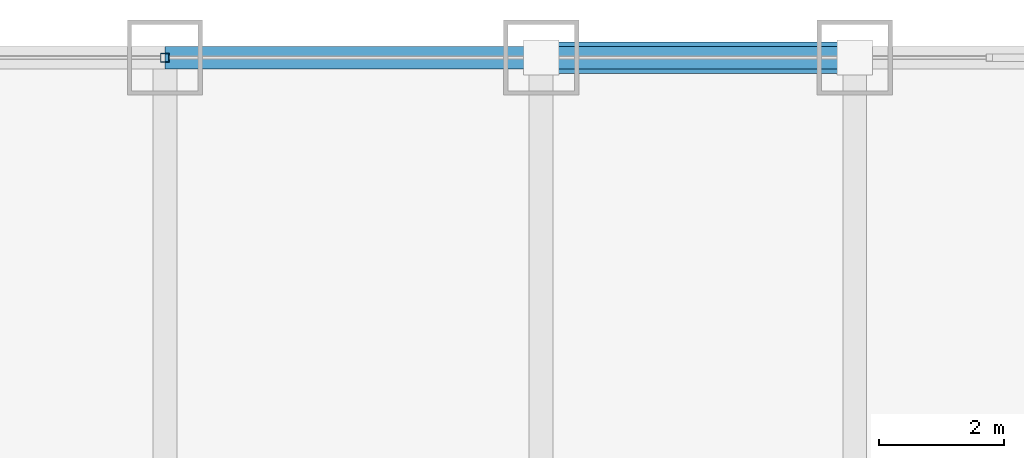
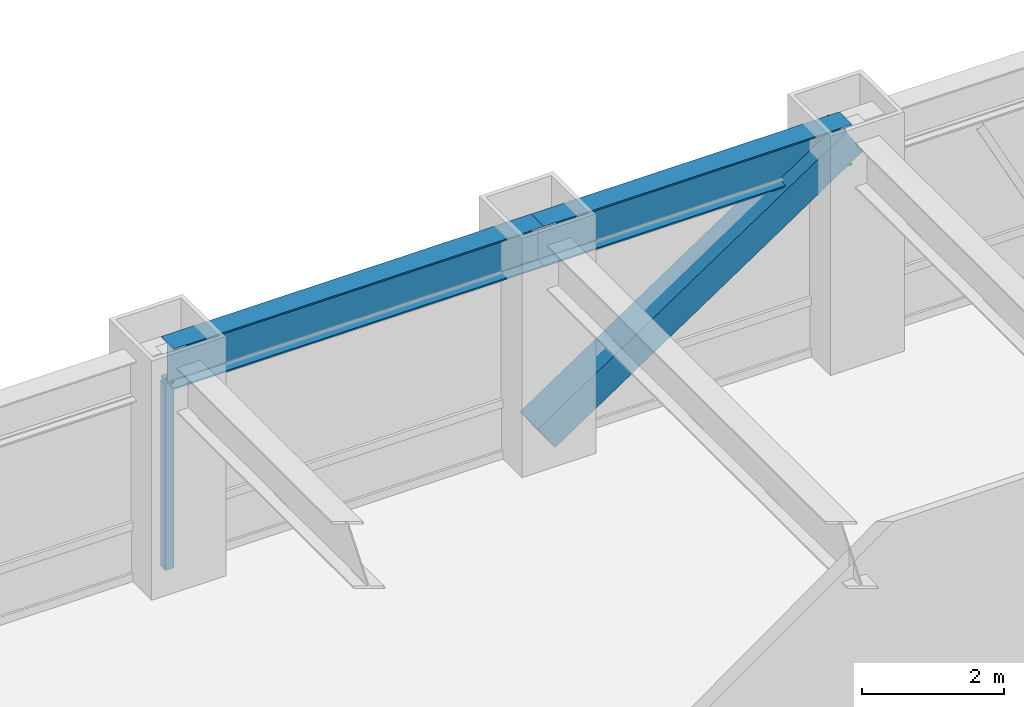
# One storey, part 19 of 27: 2 beams, 2 members, 1 element without a shape of its own.
"""IFC4 building model written with IfcOpenShell, lengths in metres."""

from ifc_helpers import new_model, si_unit, direction, frame, origin, origin_2d, place, context, subcontext, project, spatial, hollow_rectangle, i_section, extrude, source, transform, mapped, material, material_profile, profile_set, type_object, element, aggregate, save


model = new_model("IFC4")

# Units and contexts
model_context = context("Model", 3, precision=1e-05, world=origin(), true_north=direction((0.0, 1.0)))
body_context = subcontext(model_context, "Body", "Model", "MODEL_VIEW")
ifc_project = project(units=[si_unit("LENGTHUNIT", "METRE"), si_unit("AREAUNIT", "SQUARE_METRE"), si_unit("VOLUMEUNIT", "CUBIC_METRE"), si_unit("PLANEANGLEUNIT", "RADIAN"), si_unit("MASSUNIT", "GRAM", prefix="KILO")], contexts=[model_context])

# Site, building, storey
site_placement = place(None, origin())
site = spatial("IfcSite", under=ifc_project, at=site_placement, CompositionType="ELEMENT")
building_placement = place(site_placement, origin())
building = spatial("IfcBuilding", under=site, at=building_placement, Name="Khorayat Bourse Tower", CompositionType="ELEMENT")
storey_placement = place(building_placement, frame((0.0, 0.0, 103.699951171875)))
storey = spatial("IfcBuildingStorey", under=building, at=storey_placement, Name="L23", CompositionType="ELEMENT", Elevation=103.699951171875)

# Beams
ifc_material_1 = material(Name="Steel ASTM A992 Grade 50", Category="steel")
ifc_material_profile_1 = material_profile(ifc_material_1, i_section(OverallWidth=0.35498046875, OverallDepth=0.695068359375, WebThickness=0.015380859375, FlangeThickness=0.02490234375, FilletRadius=0.01806640625, at=origin_2d()), Name="W690X217")
ifc_profile_set_1 = profile_set([ifc_material_profile_1], Name="Steel ASTM A992 Grade 50")
beam_type = type_object("IfcBeamType", Name="BM-SPAN-690", PredefinedType="SPANDREL", material=ifc_profile_set_1)
shared_shape_1 = source(origin(), body_context, "Body", "SweptSolid", [
    extrude(i_section(OverallWidth=0.35498046875, OverallDepth=0.695068359375, WebThickness=0.015380859375, FlangeThickness=0.02490234375, FilletRadius=0.01806640625, at=origin_2d()), origin(), (0.0, 0.0, 1.0), 5.0),
])
beam_1_placement = place(storey_placement, frame((6.0, 32.0, 3.492431640625), z_axis=(1.0, 0.0, 0.0), x_axis=(0.0, 1.0, 0.0)))
element("IfcBeam", 1, at=beam_1_placement, inside=storey, type_object=beam_type, Name="L23 BM-SPAN-690 BM-L23-SPN-046", PredefinedType="SPANDREL", context=body_context, shape_type="MappedRepresentation", body=[
    mapped(shared_shape_1, transform((0.0, 0.0, 0.0), scale=1.0)),
])
shared_shape_2 = source(origin(), body_context, "Body", "SweptSolid", [
    extrude(i_section(OverallWidth=0.35498046875, OverallDepth=0.695068359375, WebThickness=0.015380859375, FlangeThickness=0.02490234375, FilletRadius=0.01806640625, at=origin_2d()), origin(), (0.0, 0.0, 1.0), 6.0),
])
beam_2_placement = place(storey_placement, frame((0.0, 32.0, 3.492431640625), z_axis=(1.0, 0.0, 0.0), x_axis=(0.0, 1.0, 0.0)))
element("IfcBeam", 2, at=beam_2_placement, inside=storey, type_object=beam_type, Name="L23 BM-SPAN-690 BM-L23-SPN-047", PredefinedType="SPANDREL", context=body_context, shape_type="MappedRepresentation", body=[
    mapped(shared_shape_2, transform((0.0, 0.0, 0.0), scale=1.0)),
])

# Member
ifc_material_2 = material(Name="Steel EN 10025-4 S460M", Category="steel")
ifc_material_profile_2 = material_profile(ifc_material_2, hollow_rectangle(XDim=0.5, YDim=0.5, WallThickness=0.028076171875, at=origin_2d()), Name="HSS 500x500x28")
ifc_profile_set_2 = profile_set([ifc_material_profile_2], Name="Steel EN 10025-4 S460M")
member_type_1 = type_object("IfcMemberType", Name="MBR-TUBE-500", PredefinedType="BRACE", material=ifc_profile_set_2)
shared_shape_3 = source(origin(), body_context, "Body", "SweptSolid", [
    extrude(hollow_rectangle(XDim=0.5, YDim=0.5, WallThickness=0.028076171875, at=origin_2d()), origin(), (0.0, 0.0, 1.0), 6.012939453125),
])
member_1_placement = place(storey_placement, frame((6.0, 32.0, 0.25), z_axis=(0.831531473026, 0.0, 0.555477640745), x_axis=(0.0, 1.0, 0.0)))
element("IfcMember", 3, at=member_1_placement, inside=storey, type_object=member_type_1, Name="L23 Perimeter Tube Brace 04", PredefinedType="BRACE", context=body_context, shape_type="MappedRepresentation", body=[
    mapped(shared_shape_3, transform((0.0, 0.0, 0.0), scale=1.0)),
])

# Curtain wall, member
ifc_material_3 = material(Name="Aluminium EN AW-6063 T6", Category="aluminium")
curtain_wall_type = type_object("IfcCurtainWallType", Name="CW-SYS-02", PredefinedType="NOTDEFINED", material=ifc_material_3)
curtain_wall_placement = place(storey_placement, origin())
curtain_wall = element("IfcCurtainWall", 4, at=curtain_wall_placement, inside=storey, type_object=curtain_wall_type, Name="L23 Curtain Wall CW-L23-N1", PredefinedType="NOTDEFINED")
ifc_material_profile_3 = material_profile(ifc_material_3, hollow_rectangle(XDim=0.139892578125, YDim=0.139892578125, WallThickness=0.006103515625, at=origin_2d()), Name="ALU 140x140x6")
ifc_profile_set_3 = profile_set([ifc_material_profile_3], Name="Aluminium EN AW-6063 T6")
member_type_2 = type_object("IfcMemberType", Name="CWM-VERT-140", PredefinedType="MULLION", material=ifc_profile_set_3)
shared_shape_4 = source(origin(), body_context, "Body", "SweptSolid", [
    extrude(hollow_rectangle(XDim=0.139892578125, YDim=0.139892578125, WallThickness=0.006103515625, at=origin_2d()), origin(), (0.0, 0.0, 1.0), 3.18994140625),
])
member_2_placement = place(storey_placement, frame((0.0, 32.0, 0.0), z_axis=(0.0, 0.0, 1.0), x_axis=(0.0, 1.0, 0.0)))
member_2 = element("IfcMember", 5, at=member_2_placement, type_object=member_type_2, Name="CW-L23-N1 Vertical Mullion 2", PredefinedType="MULLION", context=body_context, shape_type="MappedRepresentation", body=[
    mapped(shared_shape_4, transform((0.0, 0.0, 0.0), scale=1.0)),
])
aggregate(curtain_wall, [member_2])

save(model, "model.ifc")
